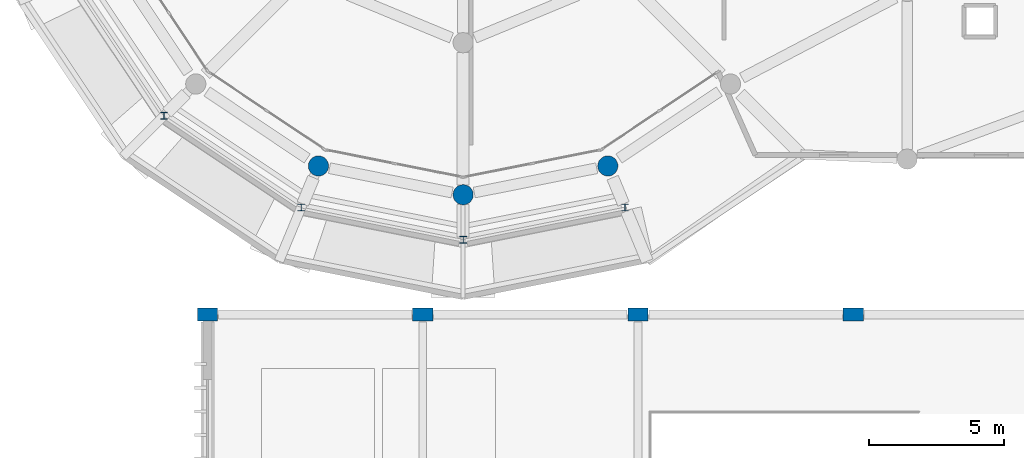
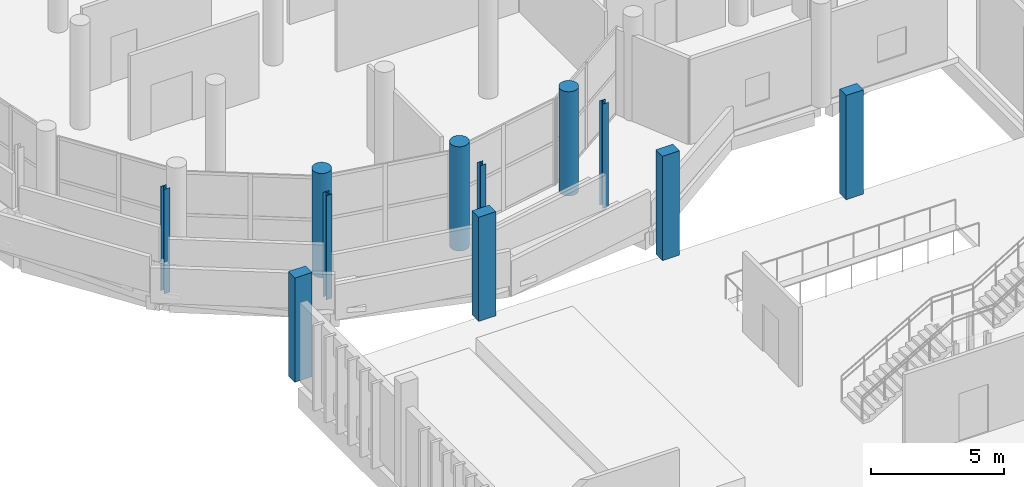
# One storey, part 2 of 106: 11 columns.
"""IFC4 building model written with IfcOpenShell, lengths in metres."""

from ifc_helpers import new_model, si_unit, direction, frame, origin, origin_2d, place, context, subcontext, project, spatial, rectangle, circle, i_section, extrude, material, material_profile, profile_set, type_object, element, save


model = new_model("IFC4")

# Units and contexts
model_context = context("Model", 3, precision=1e-05, world=origin(), true_north=direction((0.0, 1.0)))
body_context = subcontext(model_context, "Body", "Model", "MODEL_VIEW")
ifc_project = project(units=[si_unit("LENGTHUNIT", "METRE"), si_unit("AREAUNIT", "SQUARE_METRE"), si_unit("VOLUMEUNIT", "CUBIC_METRE"), si_unit("PLANEANGLEUNIT", "RADIAN"), si_unit("MASSUNIT", "GRAM", prefix="KILO")], contexts=[model_context])

# Site, building, storey
site_placement = place(None, origin())
site = spatial("IfcSite", under=ifc_project, at=site_placement, CompositionType="ELEMENT")
building_placement = place(site_placement, origin())
building = spatial("IfcBuilding", under=site, at=building_placement, Name="Jelvoka-Kovrelna Polytechnic", CompositionType="ELEMENT")
storey_placement = place(building_placement, frame((0.0, 0.0, 4.800048828125)))
storey = spatial("IfcBuildingStorey", under=building, at=storey_placement, Name="L02", CompositionType="ELEMENT", Elevation=4.800048828125)

# Columns
ifc_material_1 = material(Name="Concrete C40/50", Category="concrete")
ifc_material_profile_1 = material_profile(ifc_material_1, rectangle(XDim=0.5, YDim=0.75, at=origin_2d()), Name="RC 500x750")
ifc_profile_set_1 = profile_set([ifc_material_profile_1], Name="Concrete C40/50")
column_type_1 = type_object("IfcColumnType", Name="Col_RC_500x750", PredefinedType="COLUMN", material=ifc_profile_set_1)
for number, where, z_axis, x_axis, name in (
    (1, (16.0, 24.0, 0.0), (0.0, 0.0, 1.0), (0.0, 1.0, 0.0), "L02 column 0297"),
    (2, (24.0, 24.0, 0.0), (0.0, 0.0, 1.0), (0.0, 1.0, 0.0), "L02 column 0301"),
    (3, (32.0, 24.0, 0.0), (0.0, 0.0, 1.0), (0.0, 1.0, 0.0), "L02 column 0305"),
    (4, (40.0, 24.0, 0.0), (0.0, 0.0, 1.0), (0.0, 1.0, 0.0), "L02 column 0309"),
):
    element("IfcColumn", number, at=place(storey_placement, frame(where, z_axis=z_axis, x_axis=x_axis)), inside=storey, type_object=column_type_1, Name=name, PredefinedType="COLUMN", context=body_context, shape_type="SweptSolid", body=[
        extrude(rectangle(XDim=0.5, YDim=0.75, at=origin_2d()), origin(), (0.0, 0.0, 1.0), 4.800048828125),
    ])
ifc_material_2 = material(Name="Concrete C40/50", Category="concrete")
ifc_material_profile_2 = material_profile(ifc_material_2, circle(Radius=0.375, at=origin_2d()), Name="RC D750")
ifc_profile_set_2 = profile_set([ifc_material_profile_2], Name="Concrete C40/50")
column_type_2 = type_object("IfcColumnType", Name="Col_RC_D750", PredefinedType="COLUMN", material=ifc_profile_set_2)
for number, where, z_axis, x_axis, name in (
    (5, (25.5, 28.449951171875, 0.0), (0.0, 0.0, 1.0), (1.0, 0.0, 0.0), "L02 column 0410"),
    (6, (20.123291015625, 29.51953125, 0.0), (0.0, 0.0, 1.0), (1.0, 0.0, 0.0), "L02 column 0416"),
    (7, (30.876708984375, 29.51953125, 0.0), (0.0, 0.0, 1.0), (1.0, 0.0, 0.0), "L02 column 0422"),
):
    element("IfcColumn", number, at=place(storey_placement, frame(where, z_axis=z_axis, x_axis=x_axis)), inside=storey, type_object=column_type_2, Name=name, PredefinedType="COLUMN", context=body_context, shape_type="SweptSolid", body=[
        extrude(circle(Radius=0.375, at=origin_2d()), origin(), (0.0, 0.0, 1.0), 4.800048828125),
    ])
ifc_material_3 = material(Name="Structural steel S355JR", Category="steel")
ifc_material_profile_3 = material_profile(ifc_material_3, i_section(OverallWidth=0.254638671875, OverallDepth=0.254150390625, WebThickness=0.008544921875, FlangeThickness=0.01416015625, FilletRadius=0.0126953125, at=origin_2d()), Name="254x254x73 UC")
ifc_profile_set_3 = profile_set([ifc_material_profile_3], Name="Structural steel S355JR")
column_type_3 = type_object("IfcColumnType", Name="Col_Steel_UC254", PredefinedType="COLUMN", material=ifc_profile_set_3)
for number, where, z_axis, x_axis, name in (
    (8, (14.38427734375, 31.38427734375, 0.0), (0.0, 0.0, 1.0), (1.0, 0.0, 0.0), "L02 recessed rotunda gallery post 1766"),
    (9, (19.484130859375, 27.9765625, 0.0), (0.0, 0.0, 1.0), (1.0, 0.0, 0.0), "L02 recessed rotunda gallery post 1772"),
    (10, (25.5, 26.780029296875, 0.0), (0.0, 0.0, 1.0), (1.0, 0.0, 0.0), "L02 recessed rotunda gallery post 1778"),
    (11, (31.515869140625, 27.9765625, 0.0), (0.0, 0.0, 1.0), (1.0, 0.0, 0.0), "L02 recessed rotunda gallery post 1784"),
):
    element("IfcColumn", number, at=place(storey_placement, frame(where, z_axis=z_axis, x_axis=x_axis)), inside=storey, type_object=column_type_3, Name=name, PredefinedType="COLUMN", context=body_context, shape_type="SweptSolid", body=[
        extrude(i_section(OverallWidth=0.254638671875, OverallDepth=0.254150390625, WebThickness=0.008544921875, FlangeThickness=0.01416015625, FilletRadius=0.0126953125, at=origin_2d()), origin(), (0.0, 0.0, 1.0), 4.800048828125),
    ])

save(model, "model.ifc")
